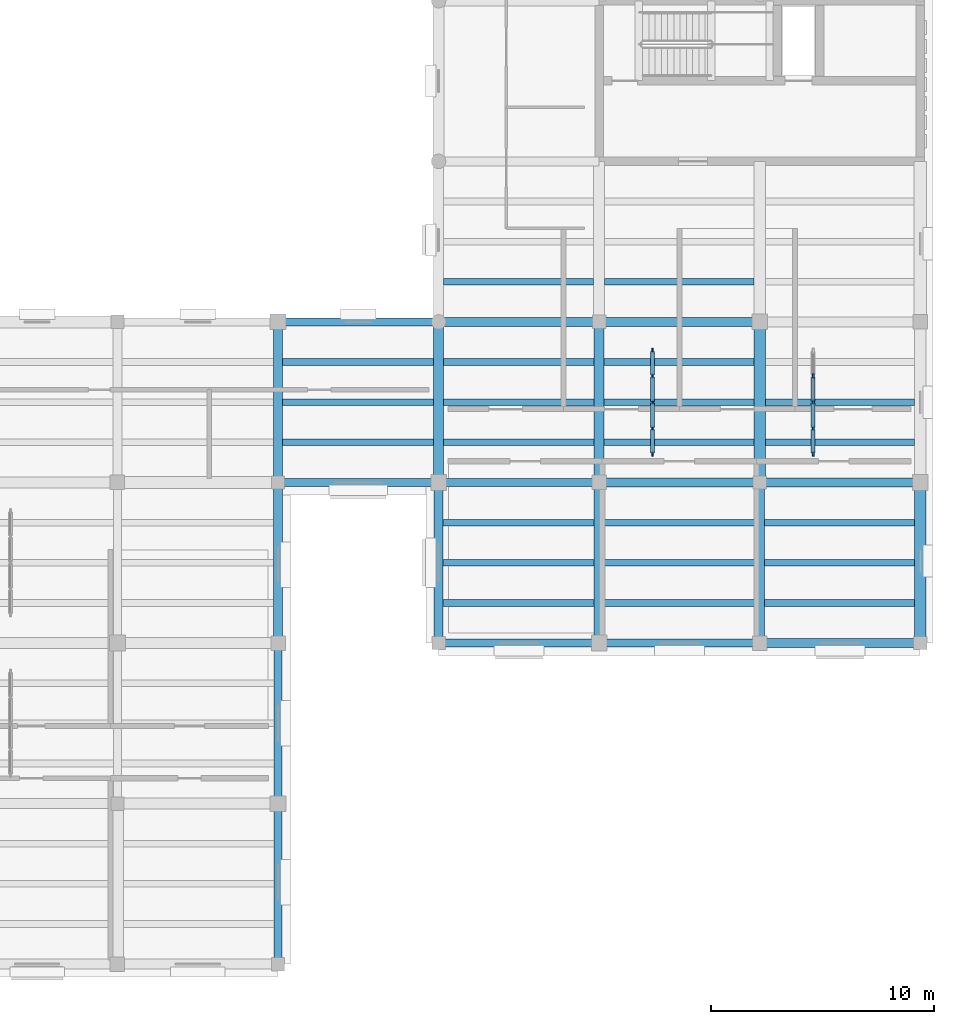
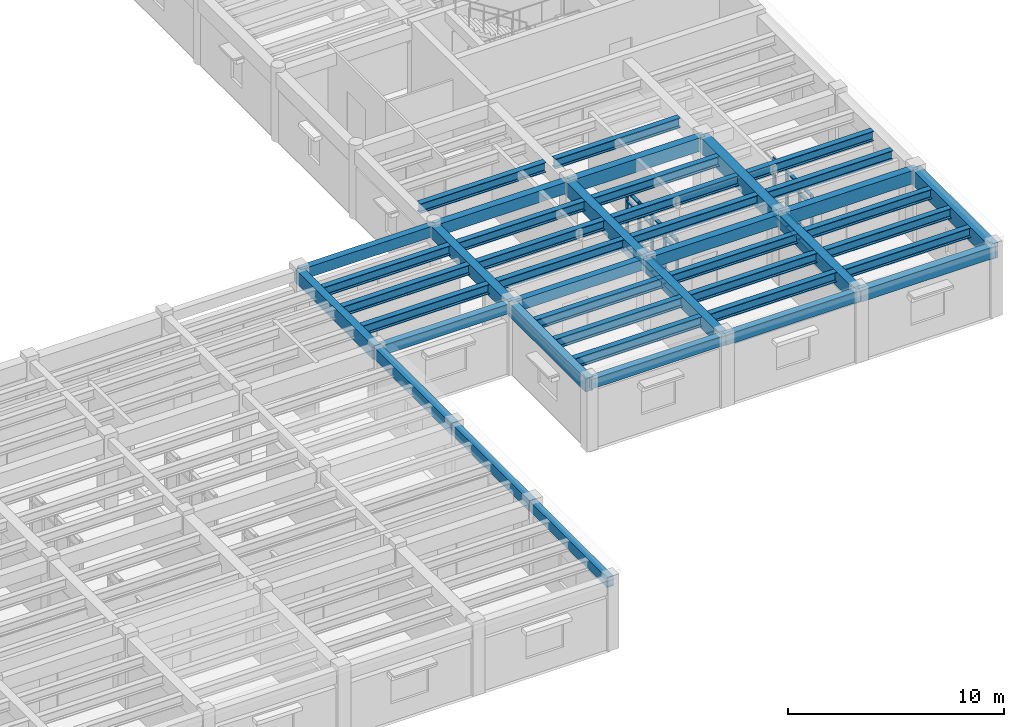
# One storey, part 15 of 66: 43 beams, 35 members, 2 elements without a shape of their own.
"""IFC4 building model written with IfcOpenShell, lengths in metres."""

from ifc_helpers import new_model, si_unit, direction, frame, origin, origin_2d, place, context, subcontext, project, spatial, rectangle, i_section, extrude, material, material_profile, profile_set, type_object, element, aggregate, save


model = new_model("IFC4")

# Units and contexts
model_context = context("Model", 3, precision=1e-05, world=origin(), true_north=direction((0.0, 1.0)))
body_context = subcontext(model_context, "Body", "Model", "MODEL_VIEW")
ifc_project = project(units=[si_unit("LENGTHUNIT", "METRE"), si_unit("AREAUNIT", "SQUARE_METRE"), si_unit("VOLUMEUNIT", "CUBIC_METRE"), si_unit("PLANEANGLEUNIT", "RADIAN"), si_unit("MASSUNIT", "GRAM", prefix="KILO")], contexts=[model_context])

# Site, building, storey
site_placement = place(None, origin())
site = spatial("IfcSite", under=ifc_project, at=site_placement, CompositionType="ELEMENT")
building_placement = place(site_placement, origin())
building = spatial("IfcBuilding", under=site, at=building_placement, Name="Mithqara Police Headquarters", CompositionType="ELEMENT")
storey_placement = place(building_placement, frame((0.0, 0.0, 9.60009765625)))
storey = spatial("IfcBuildingStorey", under=building, at=storey_placement, Name="L02", CompositionType="ELEMENT", Elevation=9.60009765625)

# Beams
ifc_material_1 = material(Name="Steel S355JR", Category="steel")
ifc_material_profile_1 = material_profile(ifc_material_1, i_section(OverallWidth=0.300048828125, OverallDepth=0.550048828125, WebThickness=0.014892578125, FlangeThickness=0.029052734375, FilletRadius=0.027099609375, at=origin_2d()), Name="HEB 550")
ifc_profile_set_1 = profile_set([ifc_material_profile_1], Name="Steel S355JR")
beam_type_1 = type_object("IfcBeamType", Name="BEAM HEB550", PredefinedType="BEAM", material=ifc_profile_set_1)
for number, where, z_axis, x_axis, name in (
    (1, (137.60009765625, 30.0, 3.664794921875), (1.0, 0.0, 0.0), (0.0, 1.0, 0.0), "L02 Composite Steel Joist 20-21/E.1"),
    (2, (137.60009765625, 31.800048828125, 3.664794921875), (1.0, 0.0, 0.0), (0.0, 1.0, 0.0), "L02 Composite Steel Joist 20-21/E.2"),
    (3, (137.60009765625, 33.60009765625, 3.664794921875), (1.0, 0.0, 0.0), (0.0, 1.0, 0.0), "L02 Composite Steel Joist 20-21/E.3"),
    (4, (144.800048828125, 22.800048828125, 3.664794921875), (1.0, 0.0, 0.0), (0.0, 1.0, 0.0), "L02 Composite Steel Joist 21-22/D.1"),
    (5, (144.800048828125, 24.60009765625, 3.664794921875), (1.0, 0.0, 0.0), (0.0, 1.0, 0.0), "L02 Composite Steel Joist 21-22/D.2"),
    (6, (144.800048828125, 26.39990234375, 3.664794921875), (1.0, 0.0, 0.0), (0.0, 1.0, 0.0), "L02 Composite Steel Joist 21-22/D.3"),
):
    element("IfcBeam", number, at=place(storey_placement, frame(where, z_axis=z_axis, x_axis=x_axis)), inside=storey, type_object=beam_type_1, Name=name, PredefinedType="BEAM", context=body_context, shape_type="SweptSolid", body=[
        extrude(i_section(OverallWidth=0.300048828125, OverallDepth=0.550048828125, WebThickness=0.014892578125, FlangeThickness=0.029052734375, FilletRadius=0.027099609375, at=origin_2d()), origin(), (0.0, 0.0, 1.0), 6.77490234375),
    ])
for number, where, z_axis, x_axis, name in (
    (7, (144.824951171875, 30.0, 3.664794921875), (1.0, 0.0, 0.0), (0.0, 1.0, 0.0), "L02 Composite Steel Joist 21-22/E.1"),
    (8, (144.824951171875, 31.800048828125, 3.664794921875), (1.0, 0.0, 0.0), (0.0, 1.0, 0.0), "L02 Composite Steel Joist 21-22/E.2"),
    (9, (144.824951171875, 33.60009765625, 3.664794921875), (1.0, 0.0, 0.0), (0.0, 1.0, 0.0), "L02 Composite Steel Joist 21-22/E.3"),
):
    element("IfcBeam", number, at=place(storey_placement, frame(where, z_axis=z_axis, x_axis=x_axis)), inside=storey, type_object=beam_type_1, Name=name, PredefinedType="BEAM", context=body_context, shape_type="SweptSolid", body=[
        extrude(i_section(OverallWidth=0.300048828125, OverallDepth=0.550048828125, WebThickness=0.014892578125, FlangeThickness=0.029052734375, FilletRadius=0.027099609375, at=origin_2d()), origin(), (0.0, 0.0, 1.0), 6.75),
    ])
beam_1_placement = place(storey_placement, frame((144.824951171875, 37.199951171875, 3.664794921875), z_axis=(1.0, 0.0, 0.0), x_axis=(0.0, 1.0, 0.0)))
element("IfcBeam", 10, at=beam_1_placement, inside=storey, type_object=beam_type_1, Name="L02 Composite Steel Joist 21-22/F.1", PredefinedType="BEAM", context=body_context, shape_type="SweptSolid", body=[
    extrude(i_section(OverallWidth=0.300048828125, OverallDepth=0.550048828125, WebThickness=0.014892578125, FlangeThickness=0.029052734375, FilletRadius=0.027099609375, at=origin_2d()), origin(), (0.0, 0.0, 1.0), 6.72509765625),
])
for number, where, z_axis, x_axis, name in (
    (11, (152.02490234375, 22.800048828125, 3.664794921875), (1.0, 0.0, 0.0), (0.0, 1.0, 0.0), "L02 Composite Steel Joist 22-23/D.1"),
    (12, (152.02490234375, 24.60009765625, 3.664794921875), (1.0, 0.0, 0.0), (0.0, 1.0, 0.0), "L02 Composite Steel Joist 22-23/D.2"),
    (13, (152.02490234375, 26.39990234375, 3.664794921875), (1.0, 0.0, 0.0), (0.0, 1.0, 0.0), "L02 Composite Steel Joist 22-23/D.3"),
):
    element("IfcBeam", number, at=place(storey_placement, frame(where, z_axis=z_axis, x_axis=x_axis)), inside=storey, type_object=beam_type_1, Name=name, PredefinedType="BEAM", context=body_context, shape_type="SweptSolid", body=[
        extrude(i_section(OverallWidth=0.300048828125, OverallDepth=0.550048828125, WebThickness=0.014892578125, FlangeThickness=0.029052734375, FilletRadius=0.027099609375, at=origin_2d()), origin(), (0.0, 0.0, 1.0), 6.75),
    ])
for number, where, z_axis, x_axis, name in (
    (14, (152.02490234375, 30.0, 3.664794921875), (1.0, 0.0, 0.0), (0.0, 1.0, 0.0), "L02 Composite Steel Joist 22-23/E.1"),
    (15, (152.02490234375, 31.800048828125, 3.664794921875), (1.0, 0.0, 0.0), (0.0, 1.0, 0.0), "L02 Composite Steel Joist 22-23/E.2"),
    (16, (152.02490234375, 33.60009765625, 3.664794921875), (1.0, 0.0, 0.0), (0.0, 1.0, 0.0), "L02 Composite Steel Joist 22-23/E.3"),
):
    element("IfcBeam", number, at=place(storey_placement, frame(where, z_axis=z_axis, x_axis=x_axis)), inside=storey, type_object=beam_type_1, Name=name, PredefinedType="BEAM", context=body_context, shape_type="SweptSolid", body=[
        extrude(i_section(OverallWidth=0.300048828125, OverallDepth=0.550048828125, WebThickness=0.014892578125, FlangeThickness=0.029052734375, FilletRadius=0.027099609375, at=origin_2d()), origin(), (0.0, 0.0, 1.0), 6.72509765625),
    ])
beam_2_placement = place(storey_placement, frame((152.050048828125, 37.199951171875, 3.664794921875), z_axis=(1.0, 0.0, 0.0), x_axis=(0.0, 1.0, 0.0)))
element("IfcBeam", 17, at=beam_2_placement, inside=storey, type_object=beam_type_1, Name="L02 Composite Steel Joist 22-23/F.1", PredefinedType="BEAM", context=body_context, shape_type="SweptSolid", body=[
    extrude(i_section(OverallWidth=0.300048828125, OverallDepth=0.550048828125, WebThickness=0.014892578125, FlangeThickness=0.029052734375, FilletRadius=0.027099609375, at=origin_2d()), origin(), (0.0, 0.0, 1.0), 6.699951171875),
])
for number, where, z_axis, x_axis, name in (
    (18, (159.22509765625, 22.800048828125, 3.664794921875), (1.0, 0.0, 0.0), (0.0, 1.0, 0.0), "L02 Composite Steel Joist 23-24/D.1"),
    (19, (159.22509765625, 24.60009765625, 3.664794921875), (1.0, 0.0, 0.0), (0.0, 1.0, 0.0), "L02 Composite Steel Joist 23-24/D.2"),
    (20, (159.22509765625, 26.39990234375, 3.664794921875), (1.0, 0.0, 0.0), (0.0, 1.0, 0.0), "L02 Composite Steel Joist 23-24/D.3"),
):
    element("IfcBeam", number, at=place(storey_placement, frame(where, z_axis=z_axis, x_axis=x_axis)), inside=storey, type_object=beam_type_1, Name=name, PredefinedType="BEAM", context=body_context, shape_type="SweptSolid", body=[
        extrude(i_section(OverallWidth=0.300048828125, OverallDepth=0.550048828125, WebThickness=0.014892578125, FlangeThickness=0.029052734375, FilletRadius=0.027099609375, at=origin_2d()), origin(), (0.0, 0.0, 1.0), 6.724853515625),
    ])
for number, where, z_axis, x_axis, name in (
    (21, (159.25, 30.0, 3.664794921875), (1.0, 0.0, 0.0), (0.0, 1.0, 0.0), "L02 Composite Steel Joist 23-24/E.1"),
    (22, (159.25, 31.800048828125, 3.664794921875), (1.0, 0.0, 0.0), (0.0, 1.0, 0.0), "L02 Composite Steel Joist 23-24/E.2"),
):
    element("IfcBeam", number, at=place(storey_placement, frame(where, z_axis=z_axis, x_axis=x_axis)), inside=storey, type_object=beam_type_1, Name=name, PredefinedType="BEAM", context=body_context, shape_type="SweptSolid", body=[
        extrude(i_section(OverallWidth=0.300048828125, OverallDepth=0.550048828125, WebThickness=0.014892578125, FlangeThickness=0.029052734375, FilletRadius=0.027099609375, at=origin_2d()), origin(), (0.0, 0.0, 1.0), 6.699951171875),
    ])
ifc_material_2 = material(Name="Concrete C40/50", Category="concrete")
ifc_material_profile_2 = material_profile(ifc_material_2, rectangle(XDim=0.35009765625, YDim=0.550048828125, at=origin_2d()), Name="RC 350x550")
ifc_profile_set_2 = profile_set([ifc_material_profile_2], Name="Concrete C40/50")
beam_type_2 = type_object("IfcBeamType", Name="BEAM RC350X550", PredefinedType="BEAM", material=ifc_profile_set_2)
beam_3_placement = place(storey_placement, frame((137.39990234375, 6.60009765625, 3.664794921875), z_axis=(0.0, 1.0, 0.0), x_axis=(-1.0, 0.0, 0.0)))
element("IfcBeam", 23, at=beam_3_placement, inside=storey, type_object=beam_type_2, Name="L02 Girder 20/B-C", PredefinedType="BEAM", context=body_context, shape_type="SweptSolid", body=[
    extrude(rectangle(XDim=0.35009765625, YDim=0.550048828125, at=origin_2d()), origin(), (0.0, 0.0, 1.0), 7.199951171875),
])
beam_4_placement = place(storey_placement, frame((137.39990234375, 28.199951171875, 3.664794921875), z_axis=(1.0, 0.0, 0.0), x_axis=(0.0, 1.0, 0.0)))
element("IfcBeam", 24, at=beam_4_placement, inside=storey, type_object=beam_type_2, Name="L02 Girder 20-21/E", PredefinedType="BEAM", context=body_context, shape_type="SweptSolid", body=[
    extrude(rectangle(XDim=0.35009765625, YDim=0.550048828125, at=origin_2d()), origin(), (0.0, 0.0, 1.0), 7.2001953125),
])
beam_5_placement = place(storey_placement, frame((144.60009765625, 21.0, 3.664794921875), z_axis=(1.0, 0.0, 0.0), x_axis=(0.0, 1.0, 0.0)))
element("IfcBeam", 25, at=beam_5_placement, inside=storey, type_object=beam_type_2, Name="L02 Girder 21-22/D", PredefinedType="BEAM", context=body_context, shape_type="SweptSolid", body=[
    extrude(rectangle(XDim=0.35009765625, YDim=0.550048828125, at=origin_2d()), origin(), (0.0, 0.0, 1.0), 7.199951171875),
])
ifc_material_profile_3 = material_profile(ifc_material_2, rectangle(XDim=0.35009765625, YDim=0.60009765625, at=origin_2d()), Name="RC 350x600")
ifc_profile_set_3 = profile_set([ifc_material_profile_3], Name="Concrete C40/50")
beam_type_3 = type_object("IfcBeamType", Name="BEAM RC350X600", PredefinedType="BEAM", material=ifc_profile_set_3)
beam_6_placement = place(storey_placement, frame((137.39990234375, 13.800048828125, 3.639892578125), z_axis=(0.0, 1.0, 0.0), x_axis=(-1.0, 0.0, 0.0)))
element("IfcBeam", 26, at=beam_6_placement, inside=storey, type_object=beam_type_3, Name="L02 Girder 20/C-D", PredefinedType="BEAM", context=body_context, shape_type="SweptSolid", body=[
    extrude(rectangle(XDim=0.35009765625, YDim=0.60009765625, at=origin_2d()), origin(), (0.0, 0.0, 1.0), 7.199951171875),
])
beam_7_placement = place(storey_placement, frame((137.39990234375, 35.39990234375, 3.639892578125), z_axis=(1.0, 0.0, 0.0), x_axis=(0.0, 1.0, 0.0)))
element("IfcBeam", 27, at=beam_7_placement, inside=storey, type_object=beam_type_3, Name="L02 Girder 20-21/F", PredefinedType="BEAM", context=body_context, shape_type="SweptSolid", body=[
    extrude(rectangle(XDim=0.35009765625, YDim=0.60009765625, at=origin_2d()), origin(), (0.0, 0.0, 1.0), 7.2001953125),
])
for number, where, z_axis, x_axis, name in (
    (28, (144.60009765625, 28.199951171875, 3.639892578125), (1.0, 0.0, 0.0), (0.0, 1.0, 0.0), "L02 Girder 21-22/E"),
    (29, (151.800048828125, 21.0, 3.639892578125), (1.0, 0.0, 0.0), (0.0, 1.0, 0.0), "L02 Girder 22-23/D"),
):
    element("IfcBeam", number, at=place(storey_placement, frame(where, z_axis=z_axis, x_axis=x_axis)), inside=storey, type_object=beam_type_3, Name=name, PredefinedType="BEAM", context=body_context, shape_type="SweptSolid", body=[
        extrude(rectangle(XDim=0.35009765625, YDim=0.60009765625, at=origin_2d()), origin(), (0.0, 0.0, 1.0), 7.199951171875),
    ])
ifc_material_profile_4 = material_profile(ifc_material_2, rectangle(XDim=0.39990234375, YDim=0.64990234375, at=origin_2d()), Name="RC 400x650")
ifc_profile_set_4 = profile_set([ifc_material_profile_4], Name="Concrete C40/50")
beam_type_4 = type_object("IfcBeamType", Name="BEAM RC400X650", PredefinedType="BEAM", material=ifc_profile_set_4)
for number, where, z_axis, x_axis, name in (
    (30, (137.39990234375, 21.0, 3.614990234375), (0.0, 1.0, 0.0), (-1.0, 0.0, 0.0), "L02 Girder 20/D-E"),
    (31, (144.60009765625, 35.39990234375, 3.614990234375), (1.0, 0.0, 0.0), (0.0, 1.0, 0.0), "L02 Girder 21-22/F"),
    (32, (151.800048828125, 28.199951171875, 3.614990234375), (1.0, 0.0, 0.0), (0.0, 1.0, 0.0), "L02 Girder 22-23/E"),
    (33, (159.0, 21.0, 3.614990234375), (1.0, 0.0, 0.0), (0.0, 1.0, 0.0), "L02 Girder 23-24/D"),
):
    element("IfcBeam", number, at=place(storey_placement, frame(where, z_axis=z_axis, x_axis=x_axis)), inside=storey, type_object=beam_type_4, Name=name, PredefinedType="BEAM", context=body_context, shape_type="SweptSolid", body=[
        extrude(rectangle(XDim=0.39990234375, YDim=0.64990234375, at=origin_2d()), origin(), (0.0, 0.0, 1.0), 7.199951171875),
    ])
ifc_material_profile_5 = material_profile(ifc_material_2, rectangle(XDim=0.39990234375, YDim=0.75, at=origin_2d()), Name="RC 400x750")
ifc_profile_set_5 = profile_set([ifc_material_profile_5], Name="Concrete C40/50")
beam_type_5 = type_object("IfcBeamType", Name="BEAM RC400X750", PredefinedType="BEAM", material=ifc_profile_set_5)
for number, where, z_axis, x_axis, name in (
    (34, (137.39990234375, 28.199951171875, 3.56494140625), (0.0, 1.0, 0.0), (-1.0, 0.0, 0.0), "L02 Girder 20/E-F"),
    (35, (144.60009765625, 21.0, 3.56494140625), (0.0, 1.0, 0.0), (-1.0, 0.0, 0.0), "L02 Girder 21/D-E"),
    (36, (151.800048828125, 35.39990234375, 3.56494140625), (1.0, 0.0, 0.0), (0.0, 1.0, 0.0), "L02 Girder 22-23/F"),
    (37, (159.0, 28.199951171875, 3.56494140625), (1.0, 0.0, 0.0), (0.0, 1.0, 0.0), "L02 Girder 23-24/E"),
):
    element("IfcBeam", number, at=place(storey_placement, frame(where, z_axis=z_axis, x_axis=x_axis)), inside=storey, type_object=beam_type_5, Name=name, PredefinedType="BEAM", context=body_context, shape_type="SweptSolid", body=[
        extrude(rectangle(XDim=0.39990234375, YDim=0.75, at=origin_2d()), origin(), (0.0, 0.0, 1.0), 7.199951171875),
    ])
ifc_material_profile_6 = material_profile(ifc_material_2, rectangle(XDim=0.449951171875, YDim=0.699951171875, at=origin_2d()), Name="RC 450x700")
ifc_profile_set_6 = profile_set([ifc_material_profile_6], Name="Concrete C40/50")
beam_type_6 = type_object("IfcBeamType", Name="BEAM RC450X700", PredefinedType="BEAM", material=ifc_profile_set_6)
for number, where, z_axis, x_axis, name in (
    (38, (144.60009765625, 28.199951171875, 3.58984375), (0.0, 1.0, 0.0), (-1.0, 0.0, 0.0), "L02 Girder 21/E-F"),
    (39, (151.800048828125, 21.0, 3.58984375), (0.0, 1.0, 0.0), (-1.0, 0.0, 0.0), "L02 Girder 22/D-E"),
):
    element("IfcBeam", number, at=place(storey_placement, frame(where, z_axis=z_axis, x_axis=x_axis)), inside=storey, type_object=beam_type_6, Name=name, PredefinedType="BEAM", context=body_context, shape_type="SweptSolid", body=[
        extrude(rectangle(XDim=0.449951171875, YDim=0.699951171875, at=origin_2d()), origin(), (0.0, 0.0, 1.0), 7.199951171875),
    ])
ifc_material_profile_7 = material_profile(ifc_material_2, rectangle(XDim=0.449951171875, YDim=0.800048828125, at=origin_2d()), Name="RC 450x800")
ifc_profile_set_7 = profile_set([ifc_material_profile_7], Name="Concrete C40/50")
beam_type_7 = type_object("IfcBeamType", Name="BEAM RC450X800", PredefinedType="BEAM", material=ifc_profile_set_7)
for number, where, z_axis, x_axis, name in (
    (40, (151.800048828125, 28.199951171875, 3.539794921875), (0.0, 1.0, 0.0), (-1.0, 0.0, 0.0), "L02 Girder 22/E-F"),
    (41, (159.0, 21.0, 3.539794921875), (0.0, 1.0, 0.0), (-1.0, 0.0, 0.0), "L02 Girder 23/D-E"),
):
    element("IfcBeam", number, at=place(storey_placement, frame(where, z_axis=z_axis, x_axis=x_axis)), inside=storey, type_object=beam_type_7, Name=name, PredefinedType="BEAM", context=body_context, shape_type="SweptSolid", body=[
        extrude(rectangle(XDim=0.449951171875, YDim=0.800048828125, at=origin_2d()), origin(), (0.0, 0.0, 1.0), 7.199951171875),
    ])
ifc_material_profile_8 = material_profile(ifc_material_2, rectangle(XDim=0.5, YDim=0.85009765625, at=origin_2d()), Name="RC 500x850")
ifc_profile_set_8 = profile_set([ifc_material_profile_8], Name="Concrete C40/50")
beam_type_8 = type_object("IfcBeamType", Name="BEAM RC500X850", PredefinedType="BEAM", material=ifc_profile_set_8)
for number, where, z_axis, x_axis, name in (
    (42, (159.0, 28.199951171875, 3.514892578125), (0.0, 1.0, 0.0), (-1.0, 0.0, 0.0), "L02 Girder 23/E-F"),
    (43, (166.199951171875, 21.0, 3.514892578125), (0.0, 1.0, 0.0), (-1.0, 0.0, 0.0), "L02 Girder 24/D-E"),
):
    element("IfcBeam", number, at=place(storey_placement, frame(where, z_axis=z_axis, x_axis=x_axis)), inside=storey, type_object=beam_type_8, Name=name, PredefinedType="BEAM", context=body_context, shape_type="SweptSolid", body=[
        extrude(rectangle(XDim=0.5, YDim=0.85009765625, at=origin_2d()), origin(), (0.0, 0.0, 1.0), 7.199951171875),
    ])

# Curtain wall, members
ifc_material_3 = material(Name="Bronze anodised aluminium 6063-T6", Category="aluminium")
curtain_wall_type = type_object("IfcCurtainWallType", Name="CURTAIN WALL 4700X3220", PredefinedType="USERDEFINED", material=ifc_material_3)
curtain_wall_1_placement = place(storey_placement, origin())
curtain_wall_1 = element("IfcCurtainWall", 44, at=curtain_wall_1_placement, inside=storey, type_object=curtain_wall_type, Name="L02 Unitised Glazing CW-16 (CW-INT-L02-X21-Y04-0)", ObjectType="UNITISED GLAZING", PredefinedType="USERDEFINED")
ifc_material_profile_9 = material_profile(ifc_material_3, rectangle(XDim=0.074951171875, YDim=0.219970703125, at=origin_2d()), Name="CWM 75x220")
ifc_profile_set_9 = profile_set([ifc_material_profile_9], Name="Bronze anodised aluminium 6063-T6")
member_type_1 = type_object("IfcMemberType", Name="CWMULLION 75X220", PredefinedType="MULLION", material=ifc_profile_set_9)
member_1_placement = place(storey_placement, frame((154.199951171875, 29.487548828125, 0.0), z_axis=(0.0, 0.0, 1.0), x_axis=(-1.0, 0.0, 0.0)))
member_1 = element("IfcMember", 45, at=member_1_placement, type_object=member_type_1, Name="CW-16 mullion 1", PredefinedType="MULLION", context=body_context, shape_type="SweptSolid", body=[
    extrude(rectangle(XDim=0.074951171875, YDim=0.219970703125, at=origin_2d()), origin(), (0.0, 0.0, 1.0), 3.219970703125),
])
member_2_placement = place(storey_placement, frame((154.199951171875, 30.625, 0.0), z_axis=(0.0, 0.0, 1.0), x_axis=(-1.0, 0.0, 0.0)))
member_2 = element("IfcMember", 46, at=member_2_placement, type_object=member_type_1, Name="CW-16 mullion 2", PredefinedType="MULLION", context=body_context, shape_type="SweptSolid", body=[
    extrude(rectangle(XDim=0.074951171875, YDim=0.219970703125, at=origin_2d()), origin(), (0.0, 0.0, 1.0), 3.219970703125),
])
member_3_placement = place(storey_placement, frame((154.199951171875, 31.800048828125, 0.0), z_axis=(0.0, 0.0, 1.0), x_axis=(-1.0, 0.0, 0.0)))
member_3 = element("IfcMember", 47, at=member_3_placement, type_object=member_type_1, Name="CW-16 mullion 3", PredefinedType="MULLION", context=body_context, shape_type="SweptSolid", body=[
    extrude(rectangle(XDim=0.074951171875, YDim=0.219970703125, at=origin_2d()), origin(), (0.0, 0.0, 1.0), 3.219970703125),
])
member_4_placement = place(storey_placement, frame((154.199951171875, 32.97509765625, 0.0), z_axis=(0.0, 0.0, 1.0), x_axis=(-1.0, 0.0, 0.0)))
member_4 = element("IfcMember", 48, at=member_4_placement, type_object=member_type_1, Name="CW-16 mullion 4", PredefinedType="MULLION", context=body_context, shape_type="SweptSolid", body=[
    extrude(rectangle(XDim=0.074951171875, YDim=0.219970703125, at=origin_2d()), origin(), (0.0, 0.0, 1.0), 3.219970703125),
])
member_5_placement = place(storey_placement, frame((154.199951171875, 34.112548828125, 0.0), z_axis=(0.0, 0.0, 1.0), x_axis=(-1.0, 0.0, 0.0)))
member_5 = element("IfcMember", 49, at=member_5_placement, type_object=member_type_1, Name="CW-16 mullion 5", PredefinedType="MULLION", context=body_context, shape_type="SweptSolid", body=[
    extrude(rectangle(XDim=0.074951171875, YDim=0.219970703125, at=origin_2d()), origin(), (0.0, 0.0, 1.0), 3.219970703125),
])

curtain_wall_2_placement = place(storey_placement, origin())
curtain_wall_2 = element("IfcCurtainWall", 50, at=curtain_wall_2_placement, inside=storey, type_object=curtain_wall_type, Name="L02 Unitised Glazing CW-16 (CW-INT-L02-X22-Y04-0)", ObjectType="UNITISED GLAZING", PredefinedType="USERDEFINED")
member_6_placement = place(storey_placement, frame((161.39990234375, 29.487548828125, 0.0), z_axis=(0.0, 0.0, 1.0), x_axis=(-1.0, 0.0, 0.0)))
member_6 = element("IfcMember", 51, at=member_6_placement, type_object=member_type_1, Name="CW-16 mullion 1", PredefinedType="MULLION", context=body_context, shape_type="SweptSolid", body=[
    extrude(rectangle(XDim=0.074951171875, YDim=0.219970703125, at=origin_2d()), origin(), (0.0, 0.0, 1.0), 3.219970703125),
])
member_7_placement = place(storey_placement, frame((161.39990234375, 30.625, 0.0), z_axis=(0.0, 0.0, 1.0), x_axis=(-1.0, 0.0, 0.0)))
member_7 = element("IfcMember", 52, at=member_7_placement, type_object=member_type_1, Name="CW-16 mullion 2", PredefinedType="MULLION", context=body_context, shape_type="SweptSolid", body=[
    extrude(rectangle(XDim=0.074951171875, YDim=0.219970703125, at=origin_2d()), origin(), (0.0, 0.0, 1.0), 3.219970703125),
])
member_8_placement = place(storey_placement, frame((161.39990234375, 31.800048828125, 0.0), z_axis=(0.0, 0.0, 1.0), x_axis=(-1.0, 0.0, 0.0)))
member_8 = element("IfcMember", 53, at=member_8_placement, type_object=member_type_1, Name="CW-16 mullion 3", PredefinedType="MULLION", context=body_context, shape_type="SweptSolid", body=[
    extrude(rectangle(XDim=0.074951171875, YDim=0.219970703125, at=origin_2d()), origin(), (0.0, 0.0, 1.0), 3.219970703125),
])
member_9_placement = place(storey_placement, frame((161.39990234375, 32.97509765625, 0.0), z_axis=(0.0, 0.0, 1.0), x_axis=(-1.0, 0.0, 0.0)))
member_9 = element("IfcMember", 54, at=member_9_placement, type_object=member_type_1, Name="CW-16 mullion 4", PredefinedType="MULLION", context=body_context, shape_type="SweptSolid", body=[
    extrude(rectangle(XDim=0.074951171875, YDim=0.219970703125, at=origin_2d()), origin(), (0.0, 0.0, 1.0), 3.219970703125),
])

# Member
ifc_material_profile_10 = material_profile(ifc_material_3, rectangle(XDim=0.179931640625, YDim=0.074951171875, at=origin_2d()), Name="CWT 180x75")
ifc_profile_set_10 = profile_set([ifc_material_profile_10], Name="Bronze anodised aluminium 6063-T6")
member_type_2 = type_object("IfcMemberType", Name="CWTRANSOM 180X75", PredefinedType="USERDEFINED", material=ifc_profile_set_10)
member_10_placement = place(storey_placement, frame((154.199951171875, 29.52490234375, 0.037353515625), z_axis=(0.0, 1.0, 0.0), x_axis=(-1.0, 0.0, 0.0)))
member_10 = element("IfcMember", 55, at=member_10_placement, type_object=member_type_2, Name="CW-16 transom 1.1", ObjectType="TRANSOM", PredefinedType="USERDEFINED", context=body_context, shape_type="SweptSolid", body=[
    extrude(rectangle(XDim=0.179931640625, YDim=0.074951171875, at=origin_2d()), origin(), (0.0, 0.0, 1.0), 1.0625),
])

member_11_placement = place(storey_placement, frame((154.199951171875, 29.52490234375, 0.89990234375), z_axis=(0.0, 1.0, 0.0), x_axis=(-1.0, 0.0, 0.0)))
member_11 = element("IfcMember", 56, at=member_11_placement, type_object=member_type_2, Name="CW-16 transom 1.2", ObjectType="TRANSOM", PredefinedType="USERDEFINED", context=body_context, shape_type="SweptSolid", body=[
    extrude(rectangle(XDim=0.179931640625, YDim=0.074951171875, at=origin_2d()), origin(), (0.0, 0.0, 1.0), 1.0625),
])

member_12_placement = place(storey_placement, frame((154.199951171875, 29.52490234375, 2.669921875), z_axis=(0.0, 1.0, 0.0), x_axis=(-1.0, 0.0, 0.0)))
member_12 = element("IfcMember", 57, at=member_12_placement, type_object=member_type_2, Name="CW-16 transom 1.3", ObjectType="TRANSOM", PredefinedType="USERDEFINED", context=body_context, shape_type="SweptSolid", body=[
    extrude(rectangle(XDim=0.179931640625, YDim=0.074951171875, at=origin_2d()), origin(), (0.0, 0.0, 1.0), 1.0625),
])

member_13_placement = place(storey_placement, frame((154.199951171875, 29.52490234375, 3.182373046875), z_axis=(0.0, 1.0, 0.0), x_axis=(-1.0, 0.0, 0.0)))
member_13 = element("IfcMember", 58, at=member_13_placement, type_object=member_type_2, Name="CW-16 transom 1.4", ObjectType="TRANSOM", PredefinedType="USERDEFINED", context=body_context, shape_type="SweptSolid", body=[
    extrude(rectangle(XDim=0.179931640625, YDim=0.074951171875, at=origin_2d()), origin(), (0.0, 0.0, 1.0), 1.0625),
])

member_14_placement = place(storey_placement, frame((154.199951171875, 30.66259765625, 0.037353515625), z_axis=(0.0, 1.0, 0.0), x_axis=(-1.0, 0.0, 0.0)))
member_14 = element("IfcMember", 59, at=member_14_placement, type_object=member_type_2, Name="CW-16 transom 2.1", ObjectType="TRANSOM", PredefinedType="USERDEFINED", context=body_context, shape_type="SweptSolid", body=[
    extrude(rectangle(XDim=0.179931640625, YDim=0.074951171875, at=origin_2d()), origin(), (0.0, 0.0, 1.0), 1.099853515625),
])

member_15_placement = place(storey_placement, frame((154.199951171875, 30.66259765625, 0.89990234375), z_axis=(0.0, 1.0, 0.0), x_axis=(-1.0, 0.0, 0.0)))
member_15 = element("IfcMember", 60, at=member_15_placement, type_object=member_type_2, Name="CW-16 transom 2.2", ObjectType="TRANSOM", PredefinedType="USERDEFINED", context=body_context, shape_type="SweptSolid", body=[
    extrude(rectangle(XDim=0.179931640625, YDim=0.074951171875, at=origin_2d()), origin(), (0.0, 0.0, 1.0), 1.099853515625),
])

member_16_placement = place(storey_placement, frame((154.199951171875, 30.66259765625, 2.669921875), z_axis=(0.0, 1.0, 0.0), x_axis=(-1.0, 0.0, 0.0)))
member_16 = element("IfcMember", 61, at=member_16_placement, type_object=member_type_2, Name="CW-16 transom 2.3", ObjectType="TRANSOM", PredefinedType="USERDEFINED", context=body_context, shape_type="SweptSolid", body=[
    extrude(rectangle(XDim=0.179931640625, YDim=0.074951171875, at=origin_2d()), origin(), (0.0, 0.0, 1.0), 1.099853515625),
])

member_17_placement = place(storey_placement, frame((154.199951171875, 30.66259765625, 3.182373046875), z_axis=(0.0, 1.0, 0.0), x_axis=(-1.0, 0.0, 0.0)))
member_17 = element("IfcMember", 62, at=member_17_placement, type_object=member_type_2, Name="CW-16 transom 2.4", ObjectType="TRANSOM", PredefinedType="USERDEFINED", context=body_context, shape_type="SweptSolid", body=[
    extrude(rectangle(XDim=0.179931640625, YDim=0.074951171875, at=origin_2d()), origin(), (0.0, 0.0, 1.0), 1.099853515625),
])

member_18_placement = place(storey_placement, frame((154.199951171875, 31.83740234375, 0.037353515625), z_axis=(0.0, 1.0, 0.0), x_axis=(-1.0, 0.0, 0.0)))
member_18 = element("IfcMember", 63, at=member_18_placement, type_object=member_type_2, Name="CW-16 transom 3.1", ObjectType="TRANSOM", PredefinedType="USERDEFINED", context=body_context, shape_type="SweptSolid", body=[
    extrude(rectangle(XDim=0.179931640625, YDim=0.074951171875, at=origin_2d()), origin(), (0.0, 0.0, 1.0), 1.10009765625),
])

member_19_placement = place(storey_placement, frame((154.199951171875, 31.83740234375, 0.89990234375), z_axis=(0.0, 1.0, 0.0), x_axis=(-1.0, 0.0, 0.0)))
member_19 = element("IfcMember", 64, at=member_19_placement, type_object=member_type_2, Name="CW-16 transom 3.2", ObjectType="TRANSOM", PredefinedType="USERDEFINED", context=body_context, shape_type="SweptSolid", body=[
    extrude(rectangle(XDim=0.179931640625, YDim=0.074951171875, at=origin_2d()), origin(), (0.0, 0.0, 1.0), 1.10009765625),
])

member_20_placement = place(storey_placement, frame((154.199951171875, 31.83740234375, 2.669921875), z_axis=(0.0, 1.0, 0.0), x_axis=(-1.0, 0.0, 0.0)))
member_20 = element("IfcMember", 65, at=member_20_placement, type_object=member_type_2, Name="CW-16 transom 3.3", ObjectType="TRANSOM", PredefinedType="USERDEFINED", context=body_context, shape_type="SweptSolid", body=[
    extrude(rectangle(XDim=0.179931640625, YDim=0.074951171875, at=origin_2d()), origin(), (0.0, 0.0, 1.0), 1.10009765625),
])

member_21_placement = place(storey_placement, frame((154.199951171875, 31.83740234375, 3.182373046875), z_axis=(0.0, 1.0, 0.0), x_axis=(-1.0, 0.0, 0.0)))
member_21 = element("IfcMember", 66, at=member_21_placement, type_object=member_type_2, Name="CW-16 transom 3.4", ObjectType="TRANSOM", PredefinedType="USERDEFINED", context=body_context, shape_type="SweptSolid", body=[
    extrude(rectangle(XDim=0.179931640625, YDim=0.074951171875, at=origin_2d()), origin(), (0.0, 0.0, 1.0), 1.10009765625),
])

member_22_placement = place(storey_placement, frame((154.199951171875, 33.012451171875, 0.037353515625), z_axis=(0.0, 1.0, 0.0), x_axis=(-1.0, 0.0, 0.0)))
member_22 = element("IfcMember", 67, at=member_22_placement, type_object=member_type_2, Name="CW-16 transom 4.1", ObjectType="TRANSOM", PredefinedType="USERDEFINED", context=body_context, shape_type="SweptSolid", body=[
    extrude(rectangle(XDim=0.179931640625, YDim=0.074951171875, at=origin_2d()), origin(), (0.0, 0.0, 1.0), 1.0625),
])

member_23_placement = place(storey_placement, frame((154.199951171875, 33.012451171875, 0.89990234375), z_axis=(0.0, 1.0, 0.0), x_axis=(-1.0, 0.0, 0.0)))
member_23 = element("IfcMember", 68, at=member_23_placement, type_object=member_type_2, Name="CW-16 transom 4.2", ObjectType="TRANSOM", PredefinedType="USERDEFINED", context=body_context, shape_type="SweptSolid", body=[
    extrude(rectangle(XDim=0.179931640625, YDim=0.074951171875, at=origin_2d()), origin(), (0.0, 0.0, 1.0), 1.0625),
])

member_24_placement = place(storey_placement, frame((154.199951171875, 33.012451171875, 2.669921875), z_axis=(0.0, 1.0, 0.0), x_axis=(-1.0, 0.0, 0.0)))
member_24 = element("IfcMember", 69, at=member_24_placement, type_object=member_type_2, Name="CW-16 transom 4.3", ObjectType="TRANSOM", PredefinedType="USERDEFINED", context=body_context, shape_type="SweptSolid", body=[
    extrude(rectangle(XDim=0.179931640625, YDim=0.074951171875, at=origin_2d()), origin(), (0.0, 0.0, 1.0), 1.0625),
])

member_25_placement = place(storey_placement, frame((154.199951171875, 33.012451171875, 3.182373046875), z_axis=(0.0, 1.0, 0.0), x_axis=(-1.0, 0.0, 0.0)))
member_25 = element("IfcMember", 70, at=member_25_placement, type_object=member_type_2, Name="CW-16 transom 4.4", ObjectType="TRANSOM", PredefinedType="USERDEFINED", context=body_context, shape_type="SweptSolid", body=[
    extrude(rectangle(XDim=0.179931640625, YDim=0.074951171875, at=origin_2d()), origin(), (0.0, 0.0, 1.0), 1.0625),
])

aggregate(curtain_wall_1, [member_1, member_2, member_3, member_4, member_5, member_10, member_11, member_12, member_13, member_14, member_15, member_16, member_17, member_18, member_19, member_20, member_21, member_22, member_23, member_24, member_25])

member_26_placement = place(storey_placement, frame((161.39990234375, 29.52490234375, 0.037353515625), z_axis=(0.0, 1.0, 0.0), x_axis=(-1.0, 0.0, 0.0)))
member_26 = element("IfcMember", 71, at=member_26_placement, type_object=member_type_2, Name="CW-16 transom 1.1", ObjectType="TRANSOM", PredefinedType="USERDEFINED", context=body_context, shape_type="SweptSolid", body=[
    extrude(rectangle(XDim=0.179931640625, YDim=0.074951171875, at=origin_2d()), origin(), (0.0, 0.0, 1.0), 1.0625),
])

member_27_placement = place(storey_placement, frame((161.39990234375, 29.52490234375, 0.89990234375), z_axis=(0.0, 1.0, 0.0), x_axis=(-1.0, 0.0, 0.0)))
member_27 = element("IfcMember", 72, at=member_27_placement, type_object=member_type_2, Name="CW-16 transom 1.2", ObjectType="TRANSOM", PredefinedType="USERDEFINED", context=body_context, shape_type="SweptSolid", body=[
    extrude(rectangle(XDim=0.179931640625, YDim=0.074951171875, at=origin_2d()), origin(), (0.0, 0.0, 1.0), 1.0625),
])

member_28_placement = place(storey_placement, frame((161.39990234375, 29.52490234375, 2.669921875), z_axis=(0.0, 1.0, 0.0), x_axis=(-1.0, 0.0, 0.0)))
member_28 = element("IfcMember", 73, at=member_28_placement, type_object=member_type_2, Name="CW-16 transom 1.3", ObjectType="TRANSOM", PredefinedType="USERDEFINED", context=body_context, shape_type="SweptSolid", body=[
    extrude(rectangle(XDim=0.179931640625, YDim=0.074951171875, at=origin_2d()), origin(), (0.0, 0.0, 1.0), 1.0625),
])

member_29_placement = place(storey_placement, frame((161.39990234375, 29.52490234375, 3.182373046875), z_axis=(0.0, 1.0, 0.0), x_axis=(-1.0, 0.0, 0.0)))
member_29 = element("IfcMember", 74, at=member_29_placement, type_object=member_type_2, Name="CW-16 transom 1.4", ObjectType="TRANSOM", PredefinedType="USERDEFINED", context=body_context, shape_type="SweptSolid", body=[
    extrude(rectangle(XDim=0.179931640625, YDim=0.074951171875, at=origin_2d()), origin(), (0.0, 0.0, 1.0), 1.0625),
])

member_30_placement = place(storey_placement, frame((161.39990234375, 30.66259765625, 0.037353515625), z_axis=(0.0, 1.0, 0.0), x_axis=(-1.0, 0.0, 0.0)))
member_30 = element("IfcMember", 75, at=member_30_placement, type_object=member_type_2, Name="CW-16 transom 2.1", ObjectType="TRANSOM", PredefinedType="USERDEFINED", context=body_context, shape_type="SweptSolid", body=[
    extrude(rectangle(XDim=0.179931640625, YDim=0.074951171875, at=origin_2d()), origin(), (0.0, 0.0, 1.0), 1.099853515625),
])

member_31_placement = place(storey_placement, frame((161.39990234375, 30.66259765625, 0.89990234375), z_axis=(0.0, 1.0, 0.0), x_axis=(-1.0, 0.0, 0.0)))
member_31 = element("IfcMember", 76, at=member_31_placement, type_object=member_type_2, Name="CW-16 transom 2.2", ObjectType="TRANSOM", PredefinedType="USERDEFINED", context=body_context, shape_type="SweptSolid", body=[
    extrude(rectangle(XDim=0.179931640625, YDim=0.074951171875, at=origin_2d()), origin(), (0.0, 0.0, 1.0), 1.099853515625),
])

member_32_placement = place(storey_placement, frame((161.39990234375, 30.66259765625, 2.669921875), z_axis=(0.0, 1.0, 0.0), x_axis=(-1.0, 0.0, 0.0)))
member_32 = element("IfcMember", 77, at=member_32_placement, type_object=member_type_2, Name="CW-16 transom 2.3", ObjectType="TRANSOM", PredefinedType="USERDEFINED", context=body_context, shape_type="SweptSolid", body=[
    extrude(rectangle(XDim=0.179931640625, YDim=0.074951171875, at=origin_2d()), origin(), (0.0, 0.0, 1.0), 1.099853515625),
])

member_33_placement = place(storey_placement, frame((161.39990234375, 30.66259765625, 3.182373046875), z_axis=(0.0, 1.0, 0.0), x_axis=(-1.0, 0.0, 0.0)))
member_33 = element("IfcMember", 78, at=member_33_placement, type_object=member_type_2, Name="CW-16 transom 2.4", ObjectType="TRANSOM", PredefinedType="USERDEFINED", context=body_context, shape_type="SweptSolid", body=[
    extrude(rectangle(XDim=0.179931640625, YDim=0.074951171875, at=origin_2d()), origin(), (0.0, 0.0, 1.0), 1.099853515625),
])

member_34_placement = place(storey_placement, frame((161.39990234375, 31.83740234375, 0.037353515625), z_axis=(0.0, 1.0, 0.0), x_axis=(-1.0, 0.0, 0.0)))
member_34 = element("IfcMember", 79, at=member_34_placement, type_object=member_type_2, Name="CW-16 transom 3.1", ObjectType="TRANSOM", PredefinedType="USERDEFINED", context=body_context, shape_type="SweptSolid", body=[
    extrude(rectangle(XDim=0.179931640625, YDim=0.074951171875, at=origin_2d()), origin(), (0.0, 0.0, 1.0), 1.10009765625),
])

member_35_placement = place(storey_placement, frame((161.39990234375, 31.83740234375, 0.89990234375), z_axis=(0.0, 1.0, 0.0), x_axis=(-1.0, 0.0, 0.0)))
member_35 = element("IfcMember", 80, at=member_35_placement, type_object=member_type_2, Name="CW-16 transom 3.2", ObjectType="TRANSOM", PredefinedType="USERDEFINED", context=body_context, shape_type="SweptSolid", body=[
    extrude(rectangle(XDim=0.179931640625, YDim=0.074951171875, at=origin_2d()), origin(), (0.0, 0.0, 1.0), 1.10009765625),
])

aggregate(curtain_wall_2, [member_6, member_7, member_8, member_9, member_26, member_27, member_28, member_29, member_30, member_31, member_32, member_33, member_34, member_35])

save(model, "model.ifc")
